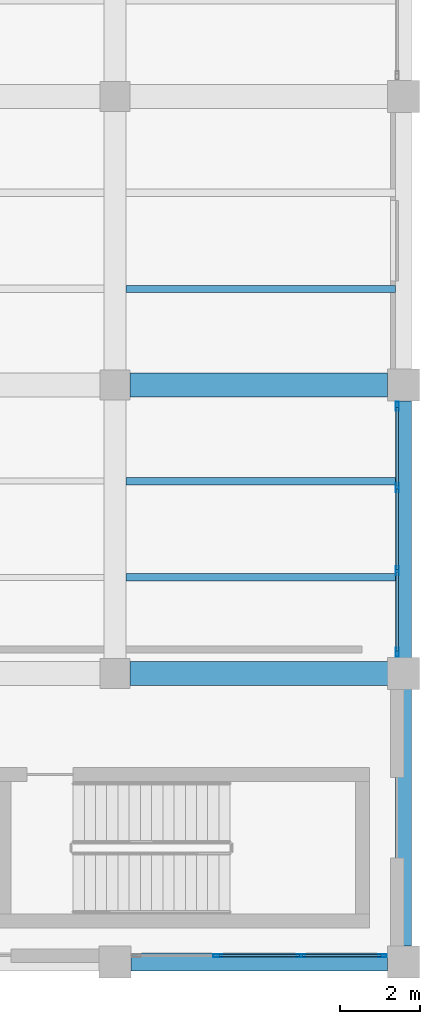
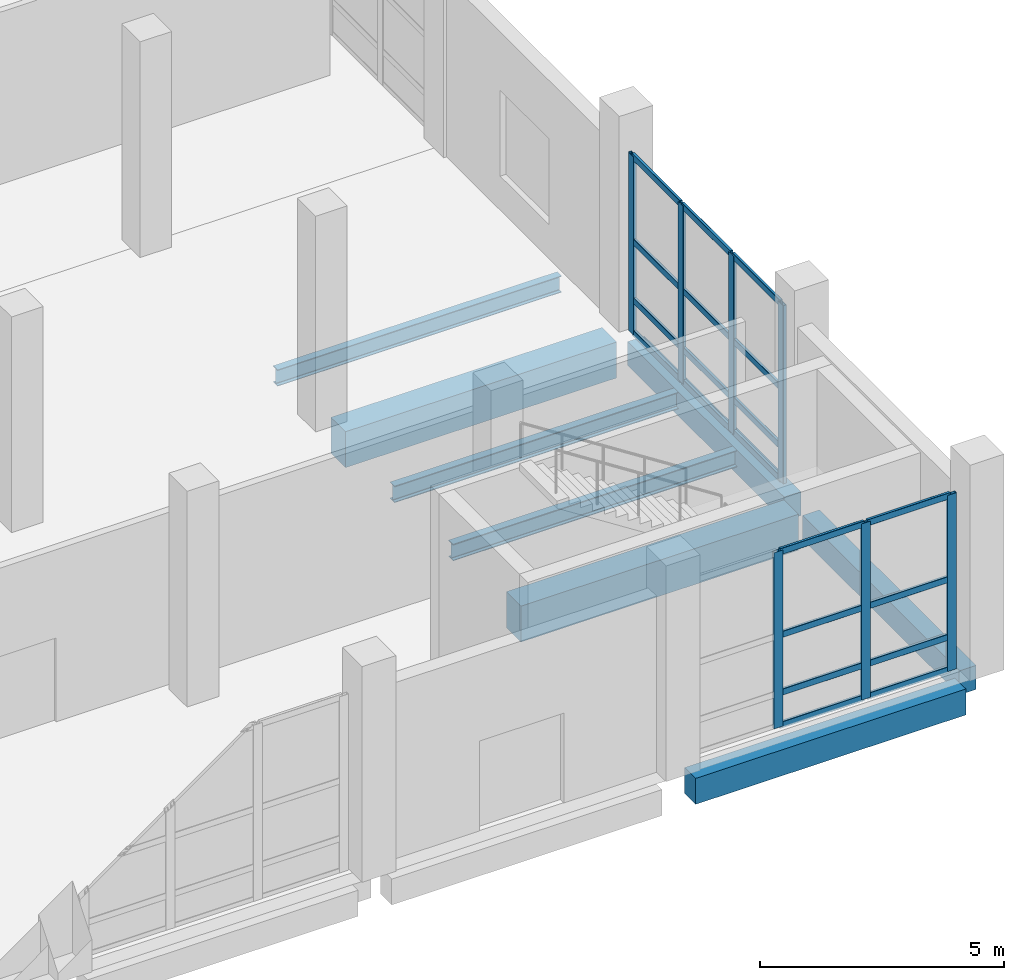
# One storey, part 66 of 137: 27 members, 8 beams, 2 elements without a shape of their own.
"""IFC4 building model written with IfcOpenShell, lengths in metres."""

import ifcopenshell
import ifcopenshell.guid

model = None  # the IFC model being written
_history = None  # IfcOwnerHistory: only IFC2X3 demands one
_inside = {}  # id of a spatial element -> (the spatial element, [elements in it])
_under = {}  # id of a project, library or spatial element -> (it, [spatial elements below it])
_declared = {}  # id of a project -> (the project, [libraries it declares])
_typed = {}  # id of a type object -> (the type object, [elements of that type])
_made_of = {}  # id of a material, layer set ... -> (it, [elements and type objects made of it])


def new_model(schema):
    """Start an empty IFC model of exactly this schema.

    Asked for "IFC4X3", IfcOpenShell would pick the latest addendum, in which some entities
    have other attributes; the version numbers below select the first issue.
    IFC2X3 requires an IfcOwnerHistory on every rooted entity: one is made here for all.
    """
    global model, _history
    if schema == "IFC4X3":
        model = ifcopenshell.file(schema_version=(4, 3, 0, 0))
    else:
        model = ifcopenshell.file(schema=schema)
    _inside.clear()
    _under.clear()
    _declared.clear()
    _typed.clear()
    _made_of.clear()
    _history = None
    if model.schema == "IFC2X3":
        org = make("IfcOrganization", Name="unknown")
        user = make(
            "IfcPersonAndOrganization",
            ThePerson=make("IfcPerson", FamilyName="unknown"),
            TheOrganization=org,
        )
        app = make(
            "IfcApplication",
            ApplicationDeveloper=org,
            Version="unknown",
            ApplicationFullName="unknown",
            ApplicationIdentifier="unknown",
        )
        _history = make(
            "IfcOwnerHistory",
            OwningUser=user,
            OwningApplication=app,
            ChangeAction="ADDED",
            CreationDate=0,
        )
    return model


def make(cls, **values):
    """One entity of the class cls with the attributes given. An attribute that is None is left unset."""
    return model.create_entity(
        cls, **{name: value for name, value in values.items() if value is not None}
    )


def rooted(cls, **values):
    """An entity with a GlobalId (a new one), such as an element, a storey or a relation."""
    return make(cls, GlobalId=ifcopenshell.guid.new(), OwnerHistory=_history, **values)


def si_unit(unit_type, name, prefix=None):
    """IfcSIUnit, for example si_unit("LENGTHUNIT", "METRE", prefix="MILLI")."""
    return make("IfcSIUnit", UnitType=unit_type, Prefix=prefix, Name=name)


def assignment(units):
    """IfcUnitAssignment: the units of a project."""
    return None if units is None else make("IfcUnitAssignment", Units=units)


def point(xyz):
    """IfcCartesianPoint."""
    return None if xyz is None else make("IfcCartesianPoint", Coordinates=xyz)


def direction(xyz):
    """IfcDirection."""
    return None if xyz is None else make("IfcDirection", DirectionRatios=xyz)


def frame(location, z_axis=None, x_axis=None):
    """IfcAxis2Placement3D, a coordinate frame: its origin and axes. An axis left out is left unset."""
    return make(
        "IfcAxis2Placement3D",
        Location=point(location),
        Axis=direction(z_axis),
        RefDirection=direction(x_axis),
    )


def frame_2d(location, x_axis=None):
    """IfcAxis2Placement2D, a coordinate frame in the plane: its origin and x axis."""
    return make(
        "IfcAxis2Placement2D", Location=point(location), RefDirection=direction(x_axis)
    )


def origin():
    """The frame at (0, 0, 0) with its axes left unset."""
    return frame((0.0, 0.0, 0.0))


def origin_2d():
    """The frame at (0, 0) in the plane with its x axis left unset."""
    return frame_2d((0.0, 0.0))


def place(relative_to, where):
    """IfcLocalPlacement: puts the frame where relative to a parent placement (None: the world)."""
    return make(
        "IfcLocalPlacement", PlacementRelTo=relative_to, RelativePlacement=where
    )


def context(
    kind, dimensions, precision=None, world=None, true_north=None, identifier=None
):
    """IfcGeometricRepresentationContext, for example the 3D "Model" context."""
    return make(
        "IfcGeometricRepresentationContext",
        ContextIdentifier=identifier,
        ContextType=kind,
        CoordinateSpaceDimension=dimensions,
        Precision=precision,
        WorldCoordinateSystem=world,
        TrueNorth=true_north,
    )


def subcontext(parent, identifier, kind, view, scale=None):
    """IfcGeometricRepresentationSubContext, for example "Body" below "Model"."""
    return make(
        "IfcGeometricRepresentationSubContext",
        ContextIdentifier=identifier,
        ContextType=kind,
        ParentContext=parent,
        TargetScale=scale,
        TargetView=view,
    )


def project(units=None, contexts=None):
    """IfcProject with its units and contexts."""
    return rooted(
        "IfcProject",
        Name="project",
        RepresentationContexts=contexts,
        UnitsInContext=assignment(units),
    )


def spatial(cls, under=None, at=None, **own):
    """A site, building, storey or space (cls), placed at a placement, below another one or the project."""
    s = rooted(cls, ObjectPlacement=at, **own)
    if under is not None:
        _under.setdefault(under.id(), (under, []))[1].append(s)
    return s


def profile(cls, at=None, kind="AREA", **sizes):
    """A parametric profile (cls). Its sizes go by their IFC names, for example OverallWidth=200.0."""
    return make(cls, ProfileType=kind, Position=at, **sizes)


def rectangle(**sizes):
    """IfcRectangleProfileDef."""
    return profile("IfcRectangleProfileDef", **sizes)


def hollow_rectangle(**sizes):
    """IfcRectangleHollowProfileDef."""
    return profile("IfcRectangleHollowProfileDef", **sizes)


def i_section(**sizes):
    """IfcIShapeProfileDef."""
    return profile("IfcIShapeProfileDef", **sizes)


def extrude(swept, where, along, depth):
    """IfcExtrudedAreaSolid: the profile swept, set in the frame where, extruded along a direction by depth."""
    return make(
        "IfcExtrudedAreaSolid",
        SweptArea=swept,
        Position=where,
        ExtrudedDirection=direction(along),
        Depth=depth,
    )


def shape(context_of_items, identifier, shape_type, items):
    """IfcShapeRepresentation: the items that make up one representation, for example the "Body"."""
    return make(
        "IfcShapeRepresentation",
        ContextOfItems=context_of_items,
        RepresentationIdentifier=identifier,
        RepresentationType=shape_type,
        Items=items,
    )


def material(Name=None, Category=None):
    """IfcMaterial."""
    return make("IfcMaterial", Name=Name, Category=Category)


def material_profile(
    of_material, cross_section, Name=None, Category=None, Priority=None
):
    """IfcMaterialProfile: a cross section and its material."""
    return make(
        "IfcMaterialProfile",
        Name=Name,
        Material=of_material,
        Profile=cross_section,
        Priority=Priority,
        Category=Category,
    )


def profile_set(profiles, Name=None, composite=None):
    """IfcMaterialProfileSet."""
    return make(
        "IfcMaterialProfileSet",
        Name=Name,
        MaterialProfiles=profiles,
        CompositeProfile=composite,
    )


def made_of(thing, what):
    """Note that an element or type object is made of a material, layer set ...; save() writes the relation."""
    if what is not None:
        _made_of.setdefault(what.id(), (what, []))[1].append(thing)
    return thing


def type_object(cls, material=None, **own):
    """A type object (cls), such as IfcWallType, which elements share."""
    return made_of(rooted(cls, **own), material)


def element(
    cls,
    number,
    at=None,
    inside=None,
    cuts=None,
    type_object=None,
    material=None,
    context=None,
    identifier="Body",
    shape_type=None,
    held_by="IfcProductDefinitionShape",
    body=None,
    shapes=None,
    **own,
):
    """One element of the class cls, such as IfcWall. Its Tag is "e" and its number.

    at: its placement. inside: the storey or other place that contains it. cuts: it is an
    opening in that element (IfcRelVoidsElement). A single representation is given by context,
    identifier, shape_type and body (its items); several are given by shapes. held_by: the class
    of the entity that holds the representations. save() writes the other relations.
    """
    e = rooted(cls, Tag="e%d" % number, ObjectPlacement=at, **own)
    if body is not None:
        shapes = [shape(context, identifier, shape_type, body)]
    if shapes is not None:
        e.Representation = make(held_by, Representations=shapes)
    if inside is not None:
        _inside.setdefault(inside.id(), (inside, []))[1].append(e)
    if cuts is not None:
        rooted(
            "IfcRelVoidsElement", RelatingBuildingElement=cuts, RelatedOpeningElement=e
        )
    if type_object is not None:
        _typed.setdefault(type_object.id(), (type_object, []))[1].append(e)
    return made_of(e, material)


def aggregate(whole, parts):
    """IfcRelAggregates: a whole, such as a stair, and the parts it consists of."""
    return rooted("IfcRelAggregates", RelatingObject=whole, RelatedObjects=parts)


def save(model, path):
    """Write the relations noted so far, then the file.

    IfcRelAggregates (storeys below a building ...), IfcRelContainedInSpatialStructure (elements
    in a storey), IfcRelDefinesByType, IfcRelAssociatesMaterial and IfcRelDeclares: one each for
    every whole, place, type object, material and project.
    """
    for whole, parts in _under.values():
        aggregate(whole, parts)
    for where, things in _inside.values():
        rooted(
            "IfcRelContainedInSpatialStructure",
            RelatedElements=things,
            RelatingStructure=where,
        )
    for kind, things in _typed.values():
        rooted("IfcRelDefinesByType", RelatedObjects=things, RelatingType=kind)
    for what, things in _made_of.values():
        rooted("IfcRelAssociatesMaterial", RelatedObjects=things, RelatingMaterial=what)
    for by, libraries in _declared.values():
        rooted("IfcRelDeclares", RelatingContext=by, RelatedDefinitions=libraries)
    model.write(path)


model = new_model("IFC4")

# Units and contexts
model_context = context("Model", 3, precision=1e-05, world=origin(), true_north=direction((0.0, 1.0)))
body_context = subcontext(model_context, "Body", "Model", "MODEL_VIEW")
ifc_project = project(units=[si_unit("LENGTHUNIT", "METRE"), si_unit("AREAUNIT", "SQUARE_METRE"), si_unit("VOLUMEUNIT", "CUBIC_METRE"), si_unit("PLANEANGLEUNIT", "RADIAN"), si_unit("MASSUNIT", "GRAM", prefix="KILO")], contexts=[model_context])

# Site, building, storey
site_placement = place(None, origin())
site = spatial("IfcSite", under=ifc_project, at=site_placement, CompositionType="ELEMENT")
building_placement = place(site_placement, origin())
building = spatial("IfcBuilding", under=site, at=building_placement, Name="Kalmorath City Hall", CompositionType="ELEMENT")
storey_placement = place(building_placement, origin())
storey = spatial("IfcBuildingStorey", under=building, at=storey_placement, Name="L00", CompositionType="ELEMENT", Elevation=0.0)

# Beams
ifc_material_1 = material(Name="Concrete C40/50", Category="concrete")
ifc_material_profile_1 = material_profile(ifc_material_1, rectangle(XDim=0.39990234375, YDim=0.60009765625, at=origin_2d()), Name="RC-BM-400X600")
ifc_profile_set_1 = profile_set([ifc_material_profile_1], Name="Concrete C40/50")
beam_type_1 = type_object("IfcBeamType", Name="Concrete edge beam 400x600", PredefinedType="SPANDREL", material=ifc_profile_set_1)
for number, where, z_axis, x_axis, name in (
    (1, (165.60009765625, 0.39990234375, -0.60400390625), (0.0, 1.0, 0.0), (-1.0, 0.0, 0.0), "L00 girder CB6 Y24/1-2"),
    (2, (165.60009765625, 7.574951171875, -0.60400390625), (0.0, 1.0, 0.0), (-1.0, 0.0, 0.0), "L00 girder CB6 Y24/2-3"),
):
    element("IfcBeam", number, at=place(storey_placement, frame(where, z_axis=z_axis, x_axis=x_axis)), inside=storey, type_object=beam_type_1, Name=name, PredefinedType="SPANDREL", context=body_context, shape_type="SweptSolid", body=[
        extrude(rectangle(XDim=0.39990234375, YDim=0.60009765625, at=origin_2d()), origin(), (0.0, 0.0, 1.0), 6.425048828125),
    ])
ifc_material_2 = material(Name="Concrete C40/50", Category="concrete")
ifc_material_profile_2 = material_profile(ifc_material_2, rectangle(XDim=0.60009765625, YDim=0.89990234375, at=origin_2d()), Name="RC-BM-600X900")
ifc_profile_set_2 = profile_set([ifc_material_profile_2], Name="Concrete C40/50")
beam_type_2 = type_object("IfcBeamType", Name="Concrete floor girder 600x900", PredefinedType="BEAM", material=ifc_profile_set_2)
beam_1_placement = place(storey_placement, frame((158.77490234375, 7.199951171875, -0.75390625), z_axis=(1.0, 0.0, 0.0), x_axis=(0.0, 1.0, 0.0)))
element("IfcBeam", 3, at=beam_1_placement, inside=storey, type_object=beam_type_2, Name="L00 girder CB1 X23-24/2", PredefinedType="BEAM", context=body_context, shape_type="SweptSolid", body=[
    extrude(rectangle(XDim=0.60009765625, YDim=0.89990234375, at=origin_2d()), origin(), (0.0, 0.0, 1.0), 6.5751953125),
])
beam_2_placement = place(storey_placement, frame((158.77490234375, 14.39990234375, -0.75390625), z_axis=(1.0, 0.0, 0.0), x_axis=(0.0, 1.0, 0.0)))
element("IfcBeam", 4, at=beam_2_placement, inside=storey, type_object=beam_type_2, Name="L00 girder CB1 X23-24/3", PredefinedType="BEAM", context=body_context, shape_type="SweptSolid", body=[
    extrude(rectangle(XDim=0.60009765625, YDim=0.89990234375, at=origin_2d()), origin(), (0.0, 0.0, 1.0), 6.425048828125),
])
ifc_material_3 = material(Name="Concrete C40/50", Category="concrete")
ifc_material_profile_3 = material_profile(ifc_material_3, rectangle(XDim=0.449951171875, YDim=0.64990234375, at=origin_2d()), Name="RC-BM-450X650")
ifc_profile_set_3 = profile_set([ifc_material_profile_3], Name="Concrete C40/50")
beam_type_3 = type_object("IfcBeamType", Name="Concrete spandrel beam 450x650", PredefinedType="SPANDREL", material=ifc_profile_set_3)
beam_3_placement = place(storey_placement, frame((158.800048828125, 0.0, -0.62890625), z_axis=(1.0, 0.0, 0.0), x_axis=(0.0, 1.0, 0.0)))
element("IfcBeam", 5, at=beam_3_placement, inside=storey, type_object=beam_type_3, Name="L00 girder CB5 X23-24/1", PredefinedType="SPANDREL", context=body_context, shape_type="SweptSolid", body=[
    extrude(rectangle(XDim=0.449951171875, YDim=0.64990234375, at=origin_2d()), origin(), (0.0, 0.0, 1.0), 6.39990234375),
])

# Curtain wall, members
ifc_material_4 = material(Name="Anodised aluminium and laminated glass", Category="aluminium")
curtain_wall_type_1 = type_object("IfcCurtainWallType", Name="Unitised hurricane curtain wall 6220x4461 M1800", PredefinedType="NOTDEFINED", material=ifc_material_4)
curtain_wall_1_placement = place(storey_placement, origin())
curtain_wall_1 = element("IfcCurtainWall", 6, at=curtain_wall_1_placement, inside=storey, type_object=curtain_wall_type_1, Name="L00 curtain wall CW-62X45M18 #11", PredefinedType="NOTDEFINED")
ifc_material_5 = material(Name="Anodised aluminium framing", Category="aluminium")
ifc_material_profile_4 = material_profile(ifc_material_5, hollow_rectangle(XDim=0.074951171875, YDim=0.219970703125, WallThickness=0.00390625, InnerFilletRadius=0.00390625, OuterFilletRadius=0.008056640625, at=origin_2d()), Name="ALU-MUL-220X75X4")
ifc_profile_set_4 = profile_set([ifc_material_profile_4], Name="Anodised aluminium framing")
member_type_1 = type_object("IfcMemberType", Name="Curtain-wall primary mullion 220x75", PredefinedType="MULLION", material=ifc_profile_set_4)
member_1_placement = place(storey_placement, frame((165.43994140625, 13.87255859375, 0.0), z_axis=(0.0, 0.0, 1.0), x_axis=(1.0, 0.0, 0.0)))
member_1 = element("IfcMember", 7, at=member_1_placement, type_object=member_type_1, Name="CW-62X45M18 mullion 1", PredefinedType="MULLION", context=body_context, shape_type="SweptSolid", body=[
    extrude(hollow_rectangle(XDim=0.074951171875, YDim=0.219970703125, WallThickness=0.00390625, InnerFilletRadius=0.00390625, OuterFilletRadius=0.008056640625, at=origin_2d()), origin(), (0.0, 0.0, 1.0), 4.4609375),
])
member_2_placement = place(storey_placement, frame((165.43994140625, 11.836669921875, 0.0), z_axis=(0.0, 0.0, 1.0), x_axis=(1.0, 0.0, 0.0)))
member_2 = element("IfcMember", 8, at=member_2_placement, type_object=member_type_1, Name="CW-62X45M18 mullion 2", PredefinedType="MULLION", context=body_context, shape_type="SweptSolid", body=[
    extrude(hollow_rectangle(XDim=0.074951171875, YDim=0.219970703125, WallThickness=0.00390625, InnerFilletRadius=0.00390625, OuterFilletRadius=0.008056640625, at=origin_2d()), origin(), (0.0, 0.0, 1.0), 4.4609375),
])
member_3_placement = place(storey_placement, frame((165.43994140625, 9.763427734375, 0.0), z_axis=(0.0, 0.0, 1.0), x_axis=(1.0, 0.0, 0.0)))
member_3 = element("IfcMember", 9, at=member_3_placement, type_object=member_type_1, Name="CW-62X45M18 mullion 3", PredefinedType="MULLION", context=body_context, shape_type="SweptSolid", body=[
    extrude(hollow_rectangle(XDim=0.074951171875, YDim=0.219970703125, WallThickness=0.00390625, InnerFilletRadius=0.00390625, OuterFilletRadius=0.008056640625, at=origin_2d()), origin(), (0.0, 0.0, 1.0), 4.4609375),
])
member_4_placement = place(storey_placement, frame((165.43994140625, 7.7275390625, 0.0), z_axis=(0.0, 0.0, 1.0), x_axis=(1.0, 0.0, 0.0)))
member_4 = element("IfcMember", 10, at=member_4_placement, type_object=member_type_1, Name="CW-62X45M18 mullion 4", PredefinedType="MULLION", context=body_context, shape_type="SweptSolid", body=[
    extrude(hollow_rectangle(XDim=0.074951171875, YDim=0.219970703125, WallThickness=0.00390625, InnerFilletRadius=0.00390625, OuterFilletRadius=0.008056640625, at=origin_2d()), origin(), (0.0, 0.0, 1.0), 4.4609375),
])

ifc_material_6 = material(Name="Anodised aluminium and laminated glass", Category="aluminium")
curtain_wall_type_2 = type_object("IfcCurtainWallType", Name="Unitised hurricane curtain wall 6220x4411 M1800", PredefinedType="NOTDEFINED", material=ifc_material_6)
curtain_wall_2_placement = place(storey_placement, origin())
curtain_wall_2 = element("IfcCurtainWall", 11, at=curtain_wall_2_placement, inside=storey, type_object=curtain_wall_type_2, Name="L00 curtain wall CW-62X44M18 #12", PredefinedType="NOTDEFINED")
member_5_placement = place(storey_placement, frame((165.072509765625, 0.159912109375, 0.0), z_axis=(0.0, 0.0, 1.0), x_axis=(0.0, -1.0, 0.0)))
member_5 = element("IfcMember", 12, at=member_5_placement, type_object=member_type_1, Name="CW-62X44M18 mullion 1", PredefinedType="MULLION", context=body_context, shape_type="SweptSolid", body=[
    extrude(hollow_rectangle(XDim=0.074951171875, YDim=0.219970703125, WallThickness=0.00390625, InnerFilletRadius=0.00390625, OuterFilletRadius=0.008056640625, at=origin_2d()), origin(), (0.0, 0.0, 1.0), 4.410888671875),
])
member_6_placement = place(storey_placement, frame((163.03662109375, 0.159912109375, 0.0), z_axis=(0.0, 0.0, 1.0), x_axis=(0.0, -1.0, 0.0)))
member_6 = element("IfcMember", 13, at=member_6_placement, type_object=member_type_1, Name="CW-62X44M18 mullion 2", PredefinedType="MULLION", context=body_context, shape_type="SweptSolid", body=[
    extrude(hollow_rectangle(XDim=0.074951171875, YDim=0.219970703125, WallThickness=0.00390625, InnerFilletRadius=0.00390625, OuterFilletRadius=0.008056640625, at=origin_2d()), origin(), (0.0, 0.0, 1.0), 4.410888671875),
])
member_7_placement = place(storey_placement, frame((160.96337890625, 0.159912109375, 0.0), z_axis=(0.0, 0.0, 1.0), x_axis=(0.0, -1.0, 0.0)))
member_7 = element("IfcMember", 14, at=member_7_placement, type_object=member_type_1, Name="CW-62X44M18 mullion 3", PredefinedType="MULLION", context=body_context, shape_type="SweptSolid", body=[
    extrude(hollow_rectangle(XDim=0.074951171875, YDim=0.219970703125, WallThickness=0.00390625, InnerFilletRadius=0.00390625, OuterFilletRadius=0.008056640625, at=origin_2d()), origin(), (0.0, 0.0, 1.0), 4.410888671875),
])

# Member
ifc_material_7 = material(Name="Anodised aluminium framing", Category="aluminium")
ifc_material_profile_5 = material_profile(ifc_material_7, hollow_rectangle(XDim=0.06494140625, YDim=0.159912109375, WallThickness=0.00390625, InnerFilletRadius=0.00390625, OuterFilletRadius=0.008056640625, at=origin_2d()), Name="ALU-TRN-160X65X4")
ifc_profile_set_5 = profile_set([ifc_material_profile_5], Name="Anodised aluminium framing")
member_type_2 = type_object("IfcMemberType", Name="Curtain-wall primary transom 160x65", PredefinedType="USERDEFINED", material=ifc_profile_set_5)
member_8_placement = place(storey_placement, frame((165.43994140625, 13.8349609375, 0.032470703125), z_axis=(0.0, -1.0, 0.0), x_axis=(1.0, 0.0, 0.0)))
member_8 = element("IfcMember", 15, at=member_8_placement, type_object=member_type_2, Name="CW-62X45M18 transom 1.1", ObjectType="TRANSOM", PredefinedType="USERDEFINED", context=body_context, shape_type="SweptSolid", body=[
    extrude(hollow_rectangle(XDim=0.06494140625, YDim=0.159912109375, WallThickness=0.00390625, InnerFilletRadius=0.00390625, OuterFilletRadius=0.008056640625, at=origin_2d()), origin(), (0.0, 0.0, 1.0), 1.960693359375),
])

member_9_placement = place(storey_placement, frame((165.43994140625, 13.8349609375, 0.85009765625), z_axis=(0.0, -1.0, 0.0), x_axis=(1.0, 0.0, 0.0)))
member_9 = element("IfcMember", 16, at=member_9_placement, type_object=member_type_2, Name="CW-62X45M18 transom 1.2", ObjectType="TRANSOM", PredefinedType="USERDEFINED", context=body_context, shape_type="SweptSolid", body=[
    extrude(hollow_rectangle(XDim=0.06494140625, YDim=0.159912109375, WallThickness=0.00390625, InnerFilletRadius=0.00390625, OuterFilletRadius=0.008056640625, at=origin_2d()), origin(), (0.0, 0.0, 1.0), 1.960693359375),
])

member_10_placement = place(storey_placement, frame((165.43994140625, 13.8349609375, 2.320068359375), z_axis=(0.0, -1.0, 0.0), x_axis=(1.0, 0.0, 0.0)))
member_10 = element("IfcMember", 17, at=member_10_placement, type_object=member_type_2, Name="CW-62X45M18 transom 1.3", ObjectType="TRANSOM", PredefinedType="USERDEFINED", context=body_context, shape_type="SweptSolid", body=[
    extrude(hollow_rectangle(XDim=0.06494140625, YDim=0.159912109375, WallThickness=0.00390625, InnerFilletRadius=0.00390625, OuterFilletRadius=0.008056640625, at=origin_2d()), origin(), (0.0, 0.0, 1.0), 1.960693359375),
])

member_11_placement = place(storey_placement, frame((165.43994140625, 13.8349609375, 4.428466796875), z_axis=(0.0, -1.0, 0.0), x_axis=(1.0, 0.0, 0.0)))
member_11 = element("IfcMember", 18, at=member_11_placement, type_object=member_type_2, Name="CW-62X45M18 transom 1.4", ObjectType="TRANSOM", PredefinedType="USERDEFINED", context=body_context, shape_type="SweptSolid", body=[
    extrude(hollow_rectangle(XDim=0.06494140625, YDim=0.159912109375, WallThickness=0.00390625, InnerFilletRadius=0.00390625, OuterFilletRadius=0.008056640625, at=origin_2d()), origin(), (0.0, 0.0, 1.0), 1.960693359375),
])

member_12_placement = place(storey_placement, frame((165.43994140625, 11.799072265625, 0.032470703125), z_axis=(0.0, -1.0, 0.0), x_axis=(1.0, 0.0, 0.0)))
member_12 = element("IfcMember", 19, at=member_12_placement, type_object=member_type_2, Name="CW-62X45M18 transom 2.1", ObjectType="TRANSOM", PredefinedType="USERDEFINED", context=body_context, shape_type="SweptSolid", body=[
    extrude(hollow_rectangle(XDim=0.06494140625, YDim=0.159912109375, WallThickness=0.00390625, InnerFilletRadius=0.00390625, OuterFilletRadius=0.008056640625, at=origin_2d()), origin(), (0.0, 0.0, 1.0), 1.998291015625),
])

member_13_placement = place(storey_placement, frame((165.43994140625, 11.799072265625, 0.85009765625), z_axis=(0.0, -1.0, 0.0), x_axis=(1.0, 0.0, 0.0)))
member_13 = element("IfcMember", 20, at=member_13_placement, type_object=member_type_2, Name="CW-62X45M18 transom 2.2", ObjectType="TRANSOM", PredefinedType="USERDEFINED", context=body_context, shape_type="SweptSolid", body=[
    extrude(hollow_rectangle(XDim=0.06494140625, YDim=0.159912109375, WallThickness=0.00390625, InnerFilletRadius=0.00390625, OuterFilletRadius=0.008056640625, at=origin_2d()), origin(), (0.0, 0.0, 1.0), 1.998291015625),
])

member_14_placement = place(storey_placement, frame((165.43994140625, 11.799072265625, 2.320068359375), z_axis=(0.0, -1.0, 0.0), x_axis=(1.0, 0.0, 0.0)))
member_14 = element("IfcMember", 21, at=member_14_placement, type_object=member_type_2, Name="CW-62X45M18 transom 2.3", ObjectType="TRANSOM", PredefinedType="USERDEFINED", context=body_context, shape_type="SweptSolid", body=[
    extrude(hollow_rectangle(XDim=0.06494140625, YDim=0.159912109375, WallThickness=0.00390625, InnerFilletRadius=0.00390625, OuterFilletRadius=0.008056640625, at=origin_2d()), origin(), (0.0, 0.0, 1.0), 1.998291015625),
])

member_15_placement = place(storey_placement, frame((165.43994140625, 11.799072265625, 4.428466796875), z_axis=(0.0, -1.0, 0.0), x_axis=(1.0, 0.0, 0.0)))
member_15 = element("IfcMember", 22, at=member_15_placement, type_object=member_type_2, Name="CW-62X45M18 transom 2.4", ObjectType="TRANSOM", PredefinedType="USERDEFINED", context=body_context, shape_type="SweptSolid", body=[
    extrude(hollow_rectangle(XDim=0.06494140625, YDim=0.159912109375, WallThickness=0.00390625, InnerFilletRadius=0.00390625, OuterFilletRadius=0.008056640625, at=origin_2d()), origin(), (0.0, 0.0, 1.0), 1.998291015625),
])

member_16_placement = place(storey_placement, frame((165.43994140625, 9.725830078125, 0.032470703125), z_axis=(0.0, -1.0, 0.0), x_axis=(1.0, 0.0, 0.0)))
member_16 = element("IfcMember", 23, at=member_16_placement, type_object=member_type_2, Name="CW-62X45M18 transom 3.1", ObjectType="TRANSOM", PredefinedType="USERDEFINED", context=body_context, shape_type="SweptSolid", body=[
    extrude(hollow_rectangle(XDim=0.06494140625, YDim=0.159912109375, WallThickness=0.00390625, InnerFilletRadius=0.00390625, OuterFilletRadius=0.008056640625, at=origin_2d()), origin(), (0.0, 0.0, 1.0), 1.9609375),
])

member_17_placement = place(storey_placement, frame((165.43994140625, 9.725830078125, 0.85009765625), z_axis=(0.0, -1.0, 0.0), x_axis=(1.0, 0.0, 0.0)))
member_17 = element("IfcMember", 24, at=member_17_placement, type_object=member_type_2, Name="CW-62X45M18 transom 3.2", ObjectType="TRANSOM", PredefinedType="USERDEFINED", context=body_context, shape_type="SweptSolid", body=[
    extrude(hollow_rectangle(XDim=0.06494140625, YDim=0.159912109375, WallThickness=0.00390625, InnerFilletRadius=0.00390625, OuterFilletRadius=0.008056640625, at=origin_2d()), origin(), (0.0, 0.0, 1.0), 1.9609375),
])

member_18_placement = place(storey_placement, frame((165.43994140625, 9.725830078125, 2.320068359375), z_axis=(0.0, -1.0, 0.0), x_axis=(1.0, 0.0, 0.0)))
member_18 = element("IfcMember", 25, at=member_18_placement, type_object=member_type_2, Name="CW-62X45M18 transom 3.3", ObjectType="TRANSOM", PredefinedType="USERDEFINED", context=body_context, shape_type="SweptSolid", body=[
    extrude(hollow_rectangle(XDim=0.06494140625, YDim=0.159912109375, WallThickness=0.00390625, InnerFilletRadius=0.00390625, OuterFilletRadius=0.008056640625, at=origin_2d()), origin(), (0.0, 0.0, 1.0), 1.9609375),
])

member_19_placement = place(storey_placement, frame((165.43994140625, 9.725830078125, 4.428466796875), z_axis=(0.0, -1.0, 0.0), x_axis=(1.0, 0.0, 0.0)))
member_19 = element("IfcMember", 26, at=member_19_placement, type_object=member_type_2, Name="CW-62X45M18 transom 3.4", ObjectType="TRANSOM", PredefinedType="USERDEFINED", context=body_context, shape_type="SweptSolid", body=[
    extrude(hollow_rectangle(XDim=0.06494140625, YDim=0.159912109375, WallThickness=0.00390625, InnerFilletRadius=0.00390625, OuterFilletRadius=0.008056640625, at=origin_2d()), origin(), (0.0, 0.0, 1.0), 1.9609375),
])

aggregate(curtain_wall_1, [member_1, member_2, member_3, member_4, member_8, member_9, member_10, member_11, member_12, member_13, member_14, member_15, member_16, member_17, member_18, member_19])

member_20_placement = place(storey_placement, frame((165.034912109375, 0.159912109375, 0.032470703125), z_axis=(-1.0, 0.0, 0.0), x_axis=(0.0, -1.0, 0.0)))
member_20 = element("IfcMember", 27, at=member_20_placement, type_object=member_type_2, Name="CW-62X44M18 transom 1.1", ObjectType="TRANSOM", PredefinedType="USERDEFINED", context=body_context, shape_type="SweptSolid", body=[
    extrude(hollow_rectangle(XDim=0.06494140625, YDim=0.159912109375, WallThickness=0.00390625, InnerFilletRadius=0.00390625, OuterFilletRadius=0.008056640625, at=origin_2d()), origin(), (0.0, 0.0, 1.0), 1.960693359375),
])

member_21_placement = place(storey_placement, frame((165.034912109375, 0.159912109375, 0.85009765625), z_axis=(-1.0, 0.0, 0.0), x_axis=(0.0, -1.0, 0.0)))
member_21 = element("IfcMember", 28, at=member_21_placement, type_object=member_type_2, Name="CW-62X44M18 transom 1.2", ObjectType="TRANSOM", PredefinedType="USERDEFINED", context=body_context, shape_type="SweptSolid", body=[
    extrude(hollow_rectangle(XDim=0.06494140625, YDim=0.159912109375, WallThickness=0.00390625, InnerFilletRadius=0.00390625, OuterFilletRadius=0.008056640625, at=origin_2d()), origin(), (0.0, 0.0, 1.0), 1.960693359375),
])

member_22_placement = place(storey_placement, frame((165.034912109375, 0.159912109375, 2.2939453125), z_axis=(-1.0, 0.0, 0.0), x_axis=(0.0, -1.0, 0.0)))
member_22 = element("IfcMember", 29, at=member_22_placement, type_object=member_type_2, Name="CW-62X44M18 transom 1.3", ObjectType="TRANSOM", PredefinedType="USERDEFINED", context=body_context, shape_type="SweptSolid", body=[
    extrude(hollow_rectangle(XDim=0.06494140625, YDim=0.159912109375, WallThickness=0.00390625, InnerFilletRadius=0.00390625, OuterFilletRadius=0.008056640625, at=origin_2d()), origin(), (0.0, 0.0, 1.0), 1.960693359375),
])

member_23_placement = place(storey_placement, frame((165.034912109375, 0.159912109375, 4.37841796875), z_axis=(-1.0, 0.0, 0.0), x_axis=(0.0, -1.0, 0.0)))
member_23 = element("IfcMember", 30, at=member_23_placement, type_object=member_type_2, Name="CW-62X44M18 transom 1.4", ObjectType="TRANSOM", PredefinedType="USERDEFINED", context=body_context, shape_type="SweptSolid", body=[
    extrude(hollow_rectangle(XDim=0.06494140625, YDim=0.159912109375, WallThickness=0.00390625, InnerFilletRadius=0.00390625, OuterFilletRadius=0.008056640625, at=origin_2d()), origin(), (0.0, 0.0, 1.0), 1.960693359375),
])

member_24_placement = place(storey_placement, frame((162.999267578125, 0.159912109375, 0.032470703125), z_axis=(-1.0, 0.0, 0.0), x_axis=(0.0, -1.0, 0.0)))
member_24 = element("IfcMember", 31, at=member_24_placement, type_object=member_type_2, Name="CW-62X44M18 transom 2.1", ObjectType="TRANSOM", PredefinedType="USERDEFINED", context=body_context, shape_type="SweptSolid", body=[
    extrude(hollow_rectangle(XDim=0.06494140625, YDim=0.159912109375, WallThickness=0.00390625, InnerFilletRadius=0.00390625, OuterFilletRadius=0.008056640625, at=origin_2d()), origin(), (0.0, 0.0, 1.0), 1.99853515625),
])

member_25_placement = place(storey_placement, frame((162.999267578125, 0.159912109375, 0.85009765625), z_axis=(-1.0, 0.0, 0.0), x_axis=(0.0, -1.0, 0.0)))
member_25 = element("IfcMember", 32, at=member_25_placement, type_object=member_type_2, Name="CW-62X44M18 transom 2.2", ObjectType="TRANSOM", PredefinedType="USERDEFINED", context=body_context, shape_type="SweptSolid", body=[
    extrude(hollow_rectangle(XDim=0.06494140625, YDim=0.159912109375, WallThickness=0.00390625, InnerFilletRadius=0.00390625, OuterFilletRadius=0.008056640625, at=origin_2d()), origin(), (0.0, 0.0, 1.0), 1.99853515625),
])

member_26_placement = place(storey_placement, frame((162.999267578125, 0.159912109375, 2.2939453125), z_axis=(-1.0, 0.0, 0.0), x_axis=(0.0, -1.0, 0.0)))
member_26 = element("IfcMember", 33, at=member_26_placement, type_object=member_type_2, Name="CW-62X44M18 transom 2.3", ObjectType="TRANSOM", PredefinedType="USERDEFINED", context=body_context, shape_type="SweptSolid", body=[
    extrude(hollow_rectangle(XDim=0.06494140625, YDim=0.159912109375, WallThickness=0.00390625, InnerFilletRadius=0.00390625, OuterFilletRadius=0.008056640625, at=origin_2d()), origin(), (0.0, 0.0, 1.0), 1.99853515625),
])

member_27_placement = place(storey_placement, frame((162.999267578125, 0.159912109375, 4.37841796875), z_axis=(-1.0, 0.0, 0.0), x_axis=(0.0, -1.0, 0.0)))
member_27 = element("IfcMember", 34, at=member_27_placement, type_object=member_type_2, Name="CW-62X44M18 transom 2.4", ObjectType="TRANSOM", PredefinedType="USERDEFINED", context=body_context, shape_type="SweptSolid", body=[
    extrude(hollow_rectangle(XDim=0.06494140625, YDim=0.159912109375, WallThickness=0.00390625, InnerFilletRadius=0.00390625, OuterFilletRadius=0.008056640625, at=origin_2d()), origin(), (0.0, 0.0, 1.0), 1.99853515625),
])

aggregate(curtain_wall_2, [member_5, member_6, member_7, member_20, member_21, member_22, member_23, member_24, member_25, member_26, member_27])

# Beams
ifc_material_8 = material(Name="Steel ASTM A992 Grade 50", Category="steel")
ifc_material_profile_6 = material_profile(ifc_material_8, i_section(OverallWidth=0.178955078125, OverallDepth=0.409912109375, WebThickness=0.0087890625, FlangeThickness=0.014404296875, FilletRadius=0.012939453125, at=origin_2d()), Name="W16X45")
ifc_profile_set_6 = profile_set([ifc_material_profile_6], Name="Steel ASTM A992 Grade 50")
beam_type_4 = type_object("IfcBeamType", Name="Steel composite joist W16X45", PredefinedType="JOIST", material=ifc_profile_set_6)
beam_4_placement = place(storey_placement, frame((158.675048828125, 16.800048828125, -0.509033203125), z_axis=(1.0, 0.0, 0.0), x_axis=(0.0, 1.0, 0.0)))
element("IfcBeam", 35, at=beam_4_placement, inside=storey, type_object=beam_type_4, Name="L00 joist SJ6 23.3.1", PredefinedType="JOIST", context=body_context, shape_type="SweptSolid", body=[
    extrude(i_section(OverallWidth=0.178955078125, OverallDepth=0.409912109375, WebThickness=0.0087890625, FlangeThickness=0.014404296875, FilletRadius=0.012939453125, at=origin_2d()), origin(), (0.0, 0.0, 1.0), 6.724853515625),
])
ifc_material_9 = material(Name="Steel ASTM A992 Grade 50", Category="steel")
ifc_material_profile_7 = material_profile(ifc_material_9, i_section(OverallWidth=0.180908203125, OverallDepth=0.4169921875, WebThickness=0.010986328125, FlangeThickness=0.018310546875, FilletRadius=0.012939453125, at=origin_2d()), Name="W16X57")
ifc_profile_set_7 = profile_set([ifc_material_profile_7], Name="Steel ASTM A992 Grade 50")
beam_type_5 = type_object("IfcBeamType", Name="Steel composite joist W16X57", PredefinedType="JOIST", material=ifc_profile_set_7)
for number, where, z_axis, x_axis, name in (
    (36, (158.675048828125, 9.60009765625, -0.512451171875), (1.0, 0.0, 0.0), (0.0, 1.0, 0.0), "L00 joist SJ5 23.2.1"),
    (37, (158.675048828125, 12.0, -0.512451171875), (1.0, 0.0, 0.0), (0.0, 1.0, 0.0), "L00 joist SJ5 23.2.2"),
):
    element("IfcBeam", number, at=place(storey_placement, frame(where, z_axis=z_axis, x_axis=x_axis)), inside=storey, type_object=beam_type_5, Name=name, PredefinedType="JOIST", context=body_context, shape_type="SweptSolid", body=[
        extrude(i_section(OverallWidth=0.180908203125, OverallDepth=0.4169921875, WebThickness=0.010986328125, FlangeThickness=0.018310546875, FilletRadius=0.012939453125, at=origin_2d()), origin(), (0.0, 0.0, 1.0), 6.724853515625),
    ])

save(model, "model.ifc")
